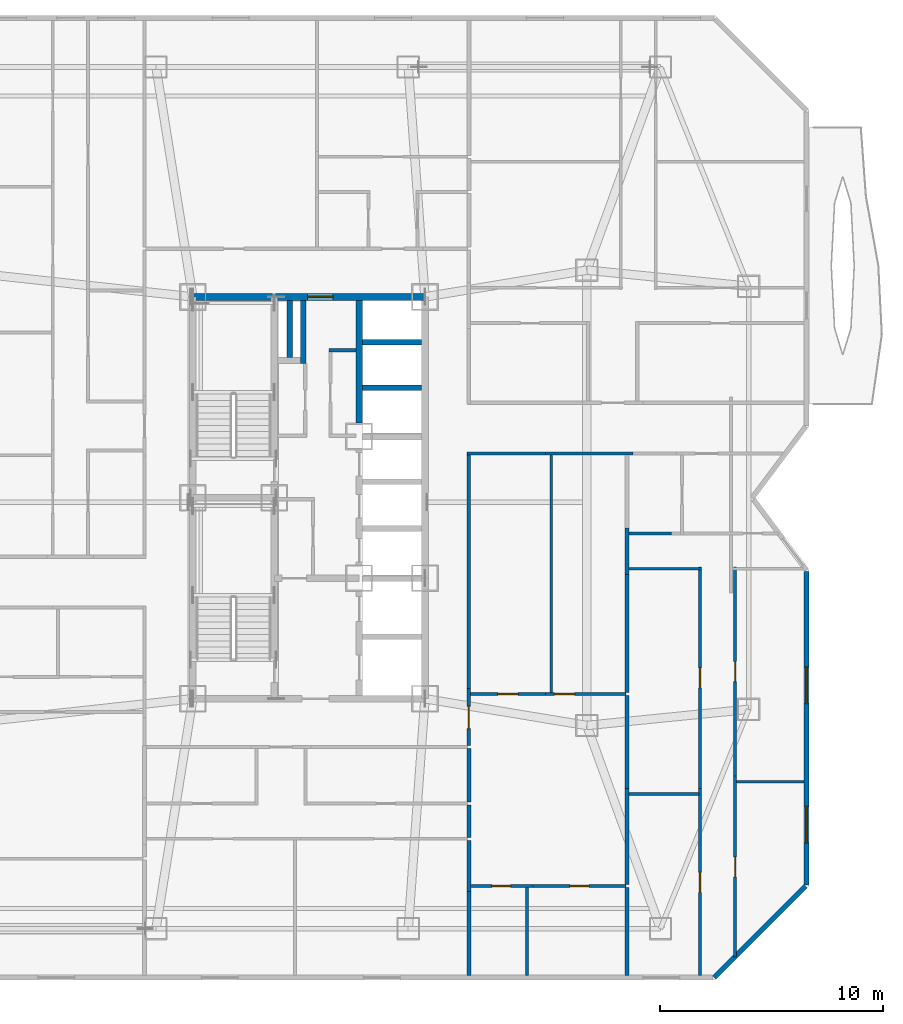
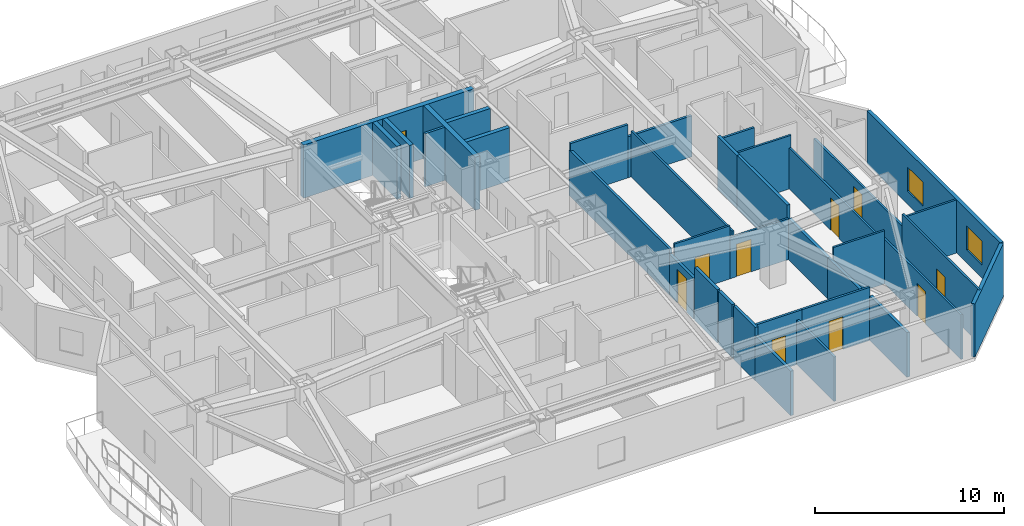
# One storey, part 10 of 15: 36 walls, 10 doors, 2 windows, 12 openings.
"""IFC4 building model written with IfcOpenShell, lengths in metres."""

from ifc_helpers import new_model, si_unit, direction, frame, frame_2d, origin, place, context, subcontext, project, spatial, rectangle, extrude, material, layer, layer_set, type_object, element, fill, save


model = new_model("IFC4")

# Units and contexts
model_context = context("Model", 3, precision=1e-05, world=origin(), true_north=direction((0.0, 1.0)))
body_context = subcontext(model_context, "Body", "Model", "MODEL_VIEW")
ifc_project = project(units=[si_unit("LENGTHUNIT", "METRE"), si_unit("AREAUNIT", "SQUARE_METRE"), si_unit("VOLUMEUNIT", "CUBIC_METRE"), si_unit("PLANEANGLEUNIT", "RADIAN"), si_unit("MASSUNIT", "GRAM", prefix="KILO")], contexts=[model_context])

# Site, building, storey
site_placement = place(None, origin())
site = spatial("IfcSite", under=ifc_project, at=site_placement, CompositionType="ELEMENT")
building_placement = place(site_placement, origin())
building = spatial("IfcBuilding", under=site, at=building_placement, Name="Khamvora Tower", CompositionType="ELEMENT")
storey_placement = place(building_placement, frame((0.0, 0.0, 112.85009765625)))
storey = spatial("IfcBuildingStorey", under=building, at=storey_placement, Name="L28", CompositionType="ELEMENT", Elevation=112.85009765625)

# Wall, opening, door
ifc_material_1 = material(Name="Concrete C50/60", Category="concrete")
ifc_layer_1 = layer(ifc_material_1, 0.300048828125)
ifc_layer_set_1 = layer_set([ifc_layer_1], Name="Concrete C50/60")
wall_type_1 = type_object("IfcWallType", Name="WAL-CORE-300", PredefinedType="SHEAR", material=ifc_layer_set_1)
wall_1_placement = place(storey_placement, frame((29.0, 37.0, 0.0), z_axis=(0.0, 0.0, 1.0), x_axis=(1.0, 0.0, 0.0)))
wall_1 = element("IfcWall", 1, at=wall_1_placement, inside=storey, type_object=wall_type_1, Name="L28 central core north wall", PredefinedType="SHEAR", context=body_context, shape_type="SweptSolid", body=[
    extrude(rectangle(XDim=10.39990234375, YDim=0.300048828125, at=frame_2d((5.199951171875, 0.0))), origin(), (0.0, 0.0, 1.0), 3.429931640625),
])
opening_1_placement = place(wall_1_placement, frame((5.139892578125, 0.0, 0.0)))
opening_1 = element("IfcOpeningElement", 2, at=opening_1_placement, cuts=wall_1, Name="Opening D-SC1", PredefinedType="OPENING", context=body_context, shape_type="SweptSolid", body=[
    extrude(rectangle(XDim=1.14990234375, YDim=2.199951171875, at=frame_2d((0.574951171875, 1.10009765625))), frame((0.0, 0.159912109375, 0.0), z_axis=(0.0, -1.0, 0.0), x_axis=(1.0, 0.0, 0.0)), (0.0, 0.0, 1.0), 0.320068359375),
])
ifc_material_2 = material(Name="Powder-Coated Steel and Hardwood Leaf", Category="steel")
door_type_1 = type_object("IfcDoorType", Name="DOR-SCHL-1150", OperationType="NOTDEFINED", PredefinedType="DOOR", material=ifc_material_2)
door_1_placement = place(opening_1_placement, origin())
door_1 = element("IfcDoor", 3, at=door_1_placement, inside=storey, type_object=door_type_1, Name="L28 north core lobby to corridor fire door", OperationType="SINGLE_SWING_LEFT", OverallHeight=2.199951171875, OverallWidth=1.14990234375, PredefinedType="DOOR", context=body_context, shape_type="SweptSolid", body=[
    extrude(rectangle(XDim=1.14990234375, YDim=2.199951171875, at=frame_2d((0.574951171875, 1.10009765625))), frame((0.0, 0.02490234375, 0.0), z_axis=(0.0, -1.0, 0.0), x_axis=(1.0, 0.0, 0.0)), (0.0, 0.0, 1.0), 0.050048828125),
])
fill(opening_1, door_1)

# Walls
wall_2_placement = place(storey_placement, frame((36.449951171875, 31.35009765625, 0.0), z_axis=(0.0, 0.0, 1.0), x_axis=(0.0, 1.0, 0.0)))
element("IfcWall", 4, at=wall_2_placement, inside=storey, type_object=wall_type_1, Name="L28 central core lift bank north wall", PredefinedType="SHEAR", context=body_context, shape_type="SweptSolid", body=[
    extrude(rectangle(XDim=5.495849609375, YDim=0.300048828125, at=frame_2d((2.748046875, 0.0))), origin(), (0.0, 0.0, 1.0), 3.429931640625),
])
ifc_material_3 = material(Name="Fire-Rated Drywall and Steel Stud", Category="steel")
ifc_layer_2 = layer(ifc_material_3, 0.14990234375)
ifc_layer_set_2 = layer_set([ifc_layer_2], Name="Fire-Rated Drywall and Steel Stud")
wall_type_2 = type_object("IfcWallType", Name="WAL-CORR-150", PredefinedType="STANDARD", material=ifc_layer_set_2)
wall_3_placement = place(storey_placement, frame((36.305908203125, 34.614990234375, 0.0), z_axis=(0.0, 0.0, 1.0), x_axis=(-1.0, 0.0, 0.0)))
element("IfcWall", 5, at=wall_3_placement, inside=storey, type_object=wall_type_2, Name="L28 interior partition wall 001", PredefinedType="STANDARD", context=body_context, shape_type="SweptSolid", body=[
    extrude(rectangle(XDim=1.205810546875, YDim=0.14990234375, at=frame_2d((0.60302734375, 0.0))), origin(), (0.0, 0.0, 1.0), 3.429931640625),
])

# Wall, opening, door
wall_4_placement = place(storey_placement, frame((41.364990234375, 19.458984375, 0.0), z_axis=(0.0, 0.0, 1.0), x_axis=(0.0, -1.0, 0.0)))
wall_4 = element("IfcWall", 6, at=wall_4_placement, inside=storey, type_object=wall_type_2, Name="L28 interior partition wall 032", PredefinedType="STANDARD", context=body_context, shape_type="SweptSolid", body=[
    extrude(rectangle(XDim=2.55908203125, YDim=0.14990234375, at=frame_2d((1.279541015625, 0.0))), origin(), (0.0, 0.0, 1.0), 2.64697265625),
])
opening_2_placement = place(wall_4_placement, frame((0.800048828125, 0.0, 0.0)))
opening_2 = element("IfcOpeningElement", 7, at=opening_2_placement, cuts=wall_4, Name="Opening D-U1", PredefinedType="OPENING", context=body_context, shape_type="SweptSolid", body=[
    extrude(rectangle(XDim=1.0, YDim=2.14990234375, at=frame_2d((0.5, 1.074951171875))), frame((0.0, 0.0849609375, 0.0), z_axis=(0.0, -1.0, 0.0), x_axis=(1.0, 0.0, 0.0)), (0.0, 0.0, 1.0), 0.169921875),
])
door_type_2 = type_object("IfcDoorType", Name="DOR-UNIT-1000", OperationType="NOTDEFINED", PredefinedType="DOOR", material=ifc_material_2)
door_2_placement = place(opening_2_placement, origin())
door_2 = element("IfcDoor", 8, at=door_2_placement, inside=storey, type_object=door_type_2, Name="L28 interior door COR-28EAH", OperationType="SINGLE_SWING_LEFT", OverallHeight=2.14990234375, OverallWidth=1.0, PredefinedType="DOOR", context=body_context, shape_type="SweptSolid", body=[
    extrude(rectangle(XDim=1.0, YDim=2.14990234375, at=frame_2d((0.5, 1.074951171875))), frame((0.0, 0.02490234375, 0.0), z_axis=(0.0, -1.0, 0.0), x_axis=(1.0, 0.0, 0.0)), (0.0, 0.0, 1.0), 0.050048828125),
])
fill(opening_2, door_2)

# Walls
wall_5_placement = place(storey_placement, frame((48.708984375, 29.985107421875, 0.0), z_axis=(0.0, 0.0, 1.0), x_axis=(-1.0, 0.0, 0.0)))
element("IfcWall", 9, at=wall_5_placement, inside=storey, type_object=wall_type_2, Name="L28 interior partition wall 033", PredefinedType="STANDARD", context=body_context, shape_type="SweptSolid", body=[
    extrude(rectangle(XDim=3.906005859375, YDim=0.14990234375, at=frame_2d((1.953125, 0.0))), origin(), (0.0, 0.0, 1.0), 2.64697265625),
])
wall_6_placement = place(storey_placement, frame((44.802978515625, 29.985107421875, 0.0), z_axis=(0.0, 0.0, 1.0), x_axis=(-1.0, 0.0, 0.0)))
element("IfcWall", 10, at=wall_6_placement, inside=storey, type_object=wall_type_2, Name="L28 interior partition wall 034", PredefinedType="STANDARD", context=body_context, shape_type="SweptSolid", body=[
    extrude(rectangle(XDim=3.5029296875, YDim=0.14990234375, at=frame_2d((1.75146484375, 0.0))), origin(), (0.0, 0.0, 1.0), 3.429931640625),
])
wall_7_placement = place(storey_placement, frame((41.364990234375, 30.050048828125, 0.0), z_axis=(0.0, 0.0, 1.0), x_axis=(0.0, -1.0, 0.0)))
element("IfcWall", 11, at=wall_7_placement, inside=storey, type_object=wall_type_2, Name="L28 interior partition wall 035", PredefinedType="STANDARD", context=body_context, shape_type="SweptSolid", body=[
    extrude(rectangle(XDim=10.591064453125, YDim=0.14990234375, at=frame_2d((5.29541015625, 0.0))), origin(), (0.0, 0.0, 1.0), 2.956787109375),
])
ifc_material_4 = material(Name="Acoustic Double-Stud Fire Wall", Category="gypsum")
ifc_layer_3 = layer(ifc_material_4, 0.179931640625)
ifc_layer_set_3 = layer_set([ifc_layer_3], Name="Acoustic Double-Stud Fire Wall")
wall_type_3 = type_object("IfcWallType", Name="WAL-CORR-180", PredefinedType="STANDARD", material=ifc_layer_set_3)
wall_8_placement = place(storey_placement, frame((41.364990234375, 14.239990234375, 0.0), z_axis=(0.0, 0.0, 1.0), x_axis=(0.0, -1.0, 0.0)))
element("IfcWall", 12, at=wall_8_placement, inside=storey, type_object=wall_type_3, Name="L28 interior partition wall 107", PredefinedType="STANDARD", context=body_context, shape_type="SweptSolid", body=[
    extrude(rectangle(XDim=1.449951171875, YDim=0.179931640625, at=frame_2d((0.72509765625, 0.0))), origin(), (0.0, 0.0, 1.0), 3.429931640625),
])
wall_9_placement = place(storey_placement, frame((41.364990234375, 16.77001953125, 0.0), z_axis=(0.0, 0.0, 1.0), x_axis=(0.0, -1.0, 0.0)))
element("IfcWall", 13, at=wall_9_placement, inside=storey, type_object=wall_type_3, Name="L28 interior partition wall 108", PredefinedType="STANDARD", context=body_context, shape_type="SweptSolid", body=[
    extrude(rectangle(XDim=2.39990234375, YDim=0.179931640625, at=frame_2d((1.199951171875, 0.0))), origin(), (0.0, 0.0, 1.0), 3.429931640625),
])
wall_10_placement = place(storey_placement, frame((41.364990234375, 12.659912109375, 0.0), z_axis=(0.0, 0.0, 1.0), x_axis=(0.0, -1.0, 0.0)))
element("IfcWall", 14, at=wall_10_placement, inside=storey, type_object=wall_type_3, Name="L28 interior partition wall 110", PredefinedType="STANDARD", context=body_context, shape_type="SweptSolid", body=[
    extrude(rectangle(XDim=2.298828125, YDim=0.179931640625, at=frame_2d((1.1494140625, 0.0))), origin(), (0.0, 0.0, 1.0), 3.429931640625),
])
wall_11_placement = place(storey_placement, frame((41.364990234375, 10.361083984375, 0.0), z_axis=(0.0, 0.0, 1.0), x_axis=(0.0, -1.0, 0.0)))
element("IfcWall", 15, at=wall_11_placement, inside=storey, type_object=wall_type_3, Name="L28 interior partition wall 111", PredefinedType="STANDARD", context=body_context, shape_type="SweptSolid", body=[
    extrude(rectangle(XDim=3.7490234375, YDim=0.179931640625, at=frame_2d((1.87451171875, 0.0))), origin(), (0.0, 0.0, 1.0), 2.8759765625),
])
wall_12_placement = place(storey_placement, frame((48.4599609375, 14.97998046875, 0.0), z_axis=(0.0, 0.0, 1.0), x_axis=(0.0, -1.0, 0.0)))
element("IfcWall", 16, at=wall_12_placement, inside=storey, type_object=wall_type_3, Name="L28 interior partition wall 124", PredefinedType="STANDARD", context=body_context, shape_type="SweptSolid", body=[
    extrude(rectangle(XDim=4.304931640625, YDim=0.179931640625, at=frame_2d((2.15234375, 0.0))), origin(), (0.0, 0.0, 1.0), 2.64697265625),
])
wall_13_placement = place(storey_placement, frame((48.4599609375, 19.14501953125, 0.0), z_axis=(0.0, 0.0, 1.0), x_axis=(0.0, -1.0, 0.0)))
element("IfcWall", 17, at=wall_13_placement, inside=storey, type_object=wall_type_3, Name="L28 interior partition wall 125", PredefinedType="STANDARD", context=body_context, shape_type="SweptSolid", body=[
    extrude(rectangle(XDim=4.1650390625, YDim=0.179931640625, at=frame_2d((2.08251953125, 0.0))), origin(), (0.0, 0.0, 1.0), 2.64697265625),
])
wall_14_placement = place(storey_placement, frame((48.4599609375, 26.654052734375, 0.0), z_axis=(0.0, 0.0, 1.0), x_axis=(0.0, -1.0, 0.0)))
element("IfcWall", 18, at=wall_14_placement, inside=storey, type_object=wall_type_3, Name="L28 interior partition wall 127", PredefinedType="STANDARD", context=body_context, shape_type="SweptSolid", body=[
    extrude(rectangle(XDim=2.078125, YDim=0.179931640625, at=frame_2d((1.0390625, 0.0))), origin(), (0.0, 0.0, 1.0), 3.429931640625),
])
wall_15_placement = place(storey_placement, frame((48.4599609375, 24.575927734375, 0.0), z_axis=(0.0, 0.0, 1.0), x_axis=(0.0, -1.0, 0.0)))
element("IfcWall", 19, at=wall_15_placement, inside=storey, type_object=wall_type_3, Name="L28 interior partition wall 129", PredefinedType="STANDARD", context=body_context, shape_type="SweptSolid", body=[
    extrude(rectangle(XDim=5.301025390625, YDim=0.179931640625, at=frame_2d((2.650390625, 0.0))), origin(), (0.0, 0.0, 1.0), 3.429931640625),
])
wall_16_placement = place(storey_placement, frame((48.4599609375, 10.544921875, 0.0), z_axis=(0.0, 0.0, 1.0), x_axis=(0.0, -1.0, 0.0)))
element("IfcWall", 20, at=wall_16_placement, inside=storey, type_object=wall_type_3, Name="L28 interior partition wall 131", PredefinedType="STANDARD", context=body_context, shape_type="SweptSolid", body=[
    extrude(rectangle(XDim=3.932861328125, YDim=0.179931640625, at=frame_2d((1.96630859375, 0.0))), origin(), (0.0, 0.0, 1.0), 2.8759765625),
])

# Wall, openings, windows
ifc_material_5 = material(Name="Precast concrete C40/50", Category="concrete")
ifc_layer_4 = layer(ifc_material_5, 0.219970703125)
ifc_layer_set_4 = layer_set([ifc_layer_4], Name="Precast concrete C40/50")
wall_type_4 = type_object("IfcWallType", Name="WAL-EXT-220", PredefinedType="STANDARD", material=ifc_layer_set_4)
wall_17_placement = place(storey_placement, frame((56.489990234375, 24.70703125, 0.0), z_axis=(0.0, 0.0, 1.0), x_axis=(0.0, -1.0, 0.0)))
wall_17 = element("IfcWall", 21, at=wall_17_placement, inside=storey, type_object=wall_type_4, Name="L28 exterior facade wall 12.1", PredefinedType="STANDARD", context=body_context, shape_type="SweptSolid", body=[
    extrude(rectangle(XDim=14.06103515625, YDim=0.219970703125, at=frame_2d((7.030517578125, 0.0))), origin(), (0.0, 0.0, 1.0), 3.429931640625),
])
opening_3_placement = place(wall_17_placement, frame((10.52587890625, 0.0, 0.85009765625)))
opening_3 = element("IfcOpeningElement", 22, at=opening_3_placement, cuts=wall_17, Name="Opening WN-06", PredefinedType="OPENING", context=body_context, shape_type="SweptSolid", body=[
    extrude(rectangle(XDim=1.64990234375, YDim=1.550048828125, at=frame_2d((0.824951171875, 0.77490234375))), frame((0.0, 0.119873046875, 0.0), z_axis=(0.0, -1.0, 0.0), x_axis=(1.0, 0.0, 0.0)), (0.0, 0.0, 1.0), 0.239990234375),
])
opening_4_placement = place(wall_17_placement, frame((4.280029296875, 0.0, 0.85009765625)))
opening_4 = element("IfcOpeningElement", 23, at=opening_4_placement, cuts=wall_17, Name="Opening WN-06", PredefinedType="OPENING", context=body_context, shape_type="SweptSolid", body=[
    extrude(rectangle(XDim=1.64990234375, YDim=1.550048828125, at=frame_2d((0.824951171875, 0.77490234375))), frame((0.0, 0.119873046875, 0.0), z_axis=(0.0, -1.0, 0.0), x_axis=(1.0, 0.0, 0.0)), (0.0, 0.0, 1.0), 0.239990234375),
])
ifc_material_6 = material(Name="Low-E Laminated Double Glazing", Category="glass")
window_type = type_object("IfcWindowType", Name="WIN-VIS-1650x1550", PartitioningType="SINGLE_PANEL", PredefinedType="WINDOW", material=ifc_material_6)
window_1_placement = place(opening_3_placement, origin())
window_1 = element("IfcWindow", 24, at=window_1_placement, inside=storey, type_object=window_type, Name="L28 vision window 12.1.01", OverallHeight=1.550048828125, OverallWidth=1.64990234375, PartitioningType="SINGLE_PANEL", PredefinedType="WINDOW", context=body_context, shape_type="SweptSolid", body=[
    extrude(rectangle(XDim=1.64990234375, YDim=1.550048828125, at=frame_2d((0.824951171875, 0.77490234375))), frame((0.0, 0.030029296875, 0.0), z_axis=(0.0, -1.0, 0.0), x_axis=(1.0, 0.0, 0.0)), (0.0, 0.0, 1.0), 0.06005859375),
])
fill(opening_3, window_1)
window_2_placement = place(opening_4_placement, origin())
window_2 = element("IfcWindow", 25, at=window_2_placement, inside=storey, type_object=window_type, Name="L28 vision window 12.1.02", OverallHeight=1.550048828125, OverallWidth=1.64990234375, PartitioningType="SINGLE_PANEL", PredefinedType="WINDOW", context=body_context, shape_type="SweptSolid", body=[
    extrude(rectangle(XDim=1.64990234375, YDim=1.550048828125, at=frame_2d((0.824951171875, 0.77490234375))), frame((0.0, 0.030029296875, 0.0), z_axis=(0.0, -1.0, 0.0), x_axis=(1.0, 0.0, 0.0)), (0.0, 0.0, 1.0), 0.06005859375),
])
fill(opening_4, window_2)

# Wall
wall_18_placement = place(storey_placement, frame((56.43994140625, 10.595947265625, 0.0), z_axis=(0.0, 0.0, 1.0), x_axis=(-0.707106781187, -0.707106781187, 0.0)))
element("IfcWall", 26, at=wall_18_placement, inside=storey, type_object=wall_type_4, Name="L28 exterior facade wall 13.1", PredefinedType="STANDARD", context=body_context, shape_type="SweptSolid", body=[
    extrude(rectangle(XDim=5.7783203125, YDim=0.219970703125, at=frame_2d((2.88916015625, 0.0))), origin(), (0.0, 0.0, 1.0), 3.429931640625),
])

# Wall, opening, door
ifc_material_7 = material(Name="Gypsum Plasterboard Partition", Category="gypsum")
ifc_layer_5 = layer(ifc_material_7, 0.1201171875)
ifc_layer_set_5 = layer_set([ifc_layer_5], Name="Gypsum Plasterboard Partition")
wall_type_5 = type_object("IfcWallType", Name="WAL-PART-120", PredefinedType="PARTITIONING", material=ifc_layer_set_5)
wall_19_placement = place(storey_placement, frame((44.802978515625, 19.2099609375, 0.0), z_axis=(0.0, 0.0, 1.0), x_axis=(1.0, 0.0, 0.0)))
wall_19 = element("IfcWall", 27, at=wall_19_placement, inside=storey, type_object=wall_type_5, Name="L28 interior partition wall 120", PredefinedType="PARTITIONING", context=body_context, shape_type="SweptSolid", body=[
    extrude(rectangle(XDim=3.592041015625, YDim=0.1201171875, at=frame_2d((1.7958984375, 0.0))), origin(), (0.0, 0.0, 1.0), 2.64697265625),
])
opening_5_placement = place(wall_19_placement, frame((0.39697265625, 0.0, 0.0)))
opening_5 = element("IfcOpeningElement", 28, at=opening_5_placement, cuts=wall_19, Name="Opening D-RM1", PredefinedType="OPENING", context=body_context, shape_type="SweptSolid", body=[
    extrude(rectangle(XDim=0.89990234375, YDim=2.10009765625, at=frame_2d((0.449951171875, 1.050048828125))), frame((0.0, 0.070068359375, 0.0), z_axis=(0.0, -1.0, 0.0), x_axis=(1.0, 0.0, 0.0)), (0.0, 0.0, 1.0), 0.14013671875),
])
door_type_3 = type_object("IfcDoorType", Name="DOR-ROOM-900", OperationType="NOTDEFINED", PredefinedType="DOOR", material=ifc_material_2)
door_3_placement = place(opening_5_placement, origin())
door_3 = element("IfcDoor", 29, at=door_3_placement, inside=storey, type_object=door_type_3, Name="L28 interior door 28EAH-28EAR2", OperationType="SINGLE_SWING_LEFT", OverallHeight=2.10009765625, OverallWidth=0.89990234375, PredefinedType="DOOR", context=body_context, shape_type="SweptSolid", body=[
    extrude(rectangle(XDim=0.89990234375, YDim=2.10009765625, at=frame_2d((0.449951171875, 1.050048828125))), frame((0.0, 0.02490234375, 0.0), z_axis=(0.0, -1.0, 0.0), x_axis=(1.0, 0.0, 0.0)), (0.0, 0.0, 1.0), 0.050048828125),
])
fill(opening_5, door_3)

wall_20_placement = place(storey_placement, frame((41.431884765625, 19.2099609375, 0.0), z_axis=(0.0, 0.0, 1.0), x_axis=(1.0, 0.0, 0.0)))
wall_20 = element("IfcWall", 30, at=wall_20_placement, inside=storey, type_object=wall_type_5, Name="L28 interior partition wall 123", PredefinedType="PARTITIONING", context=body_context, shape_type="SweptSolid", body=[
    extrude(rectangle(XDim=3.37109375, YDim=0.1201171875, at=frame_2d((1.685546875, 0.0))), origin(), (0.0, 0.0, 1.0), 3.429931640625),
])
opening_6_placement = place(wall_20_placement, frame((1.236083984375, 0.0, 0.0)))
opening_6 = element("IfcOpeningElement", 31, at=opening_6_placement, cuts=wall_20, Name="Opening D-RM1", PredefinedType="OPENING", context=body_context, shape_type="SweptSolid", body=[
    extrude(rectangle(XDim=0.89990234375, YDim=2.10009765625, at=frame_2d((0.449951171875, 1.050048828125))), frame((0.0, 0.070068359375, 0.0), z_axis=(0.0, -1.0, 0.0), x_axis=(1.0, 0.0, 0.0)), (0.0, 0.0, 1.0), 0.14013671875),
])
door_4_placement = place(opening_6_placement, origin())
door_4 = element("IfcDoor", 32, at=door_4_placement, inside=storey, type_object=door_type_3, Name="L28 interior door 28EAH-28EAR1", OperationType="SINGLE_SWING_RIGHT", OverallHeight=2.10009765625, OverallWidth=0.89990234375, PredefinedType="DOOR", context=body_context, shape_type="SweptSolid", body=[
    extrude(rectangle(XDim=0.89990234375, YDim=2.10009765625, at=frame_2d((0.449951171875, 1.050048828125))), frame((0.0, 0.02490234375, 0.0), z_axis=(0.0, -1.0, 0.0), x_axis=(1.0, 0.0, 0.0)), (0.0, 0.0, 1.0), 0.050048828125),
])
fill(opening_6, door_4)

# Wall
wall_21_placement = place(storey_placement, frame((45.052001953125, 19.263916015625, 0.0), z_axis=(0.0, 0.0, 1.0), x_axis=(0.0, 1.0, 0.0)))
element("IfcWall", 33, at=wall_21_placement, inside=storey, type_object=wall_type_5, Name="L28 interior partition wall 126", PredefinedType="PARTITIONING", context=body_context, shape_type="SweptSolid", body=[
    extrude(rectangle(XDim=10.654052734375, YDim=0.1201171875, at=frame_2d((5.3271484375, 0.0))), origin(), (0.0, 0.0, 1.0), 2.956787109375),
])

# Wall, opening, door
wall_22_placement = place(storey_placement, frame((51.722900390625, 6.612060546875, 0.0), z_axis=(0.0, 0.0, 1.0), x_axis=(0.0, 1.0, 0.0)))
wall_22 = element("IfcWall", 34, at=wall_22_placement, inside=storey, type_object=wall_type_5, Name="L28 interior partition wall 136", PredefinedType="PARTITIONING", context=body_context, shape_type="SweptSolid", body=[
    extrude(rectangle(XDim=8.367919921875, YDim=0.1201171875, at=frame_2d((4.18408203125, 0.0))), origin(), (0.0, 0.0, 1.0), 2.8759765625),
])
opening_7_placement = place(wall_22_placement, frame((3.712890625, 0.0, 0.0)))
opening_7 = element("IfcOpeningElement", 35, at=opening_7_placement, cuts=wall_22, Name="Opening D-RM1", PredefinedType="OPENING", context=body_context, shape_type="SweptSolid", body=[
    extrude(rectangle(XDim=0.89990234375, YDim=2.10009765625, at=frame_2d((0.449951171875, 1.050048828125))), frame((0.0, 0.070068359375, 0.0), z_axis=(0.0, -1.0, 0.0), x_axis=(1.0, 0.0, 0.0)), (0.0, 0.0, 1.0), 0.14013671875),
])
door_5_placement = place(opening_7_placement, origin())
door_5 = element("IfcDoor", 36, at=door_5_placement, inside=storey, type_object=door_type_3, Name="L28 interior door 28EBH-28EBL", OperationType="SINGLE_SWING_LEFT", OverallHeight=2.10009765625, OverallWidth=0.89990234375, PredefinedType="DOOR", context=body_context, shape_type="SweptSolid", body=[
    extrude(rectangle(XDim=0.89990234375, YDim=2.10009765625, at=frame_2d((0.449951171875, 1.050048828125))), frame((0.0, 0.02490234375, 0.0), z_axis=(0.0, -1.0, 0.0), x_axis=(1.0, 0.0, 0.0)), (0.0, 0.0, 1.0), 0.050048828125),
])
fill(opening_7, door_5)

wall_23_placement = place(storey_placement, frame((51.722900390625, 14.97998046875, 0.0), z_axis=(0.0, 0.0, 1.0), x_axis=(0.0, 1.0, 0.0)))
wall_23 = element("IfcWall", 37, at=wall_23_placement, inside=storey, type_object=wall_type_5, Name="L28 interior partition wall 137", PredefinedType="PARTITIONING", context=body_context, shape_type="SweptSolid", body=[
    extrude(rectangle(XDim=9.909912109375, YDim=0.1201171875, at=frame_2d((4.955078125, 0.0))), origin(), (0.0, 0.0, 1.0), 2.64697265625),
])
opening_8_placement = place(wall_23_placement, frame((4.5048828125, 0.0, 0.0)))
opening_8 = element("IfcOpeningElement", 38, at=opening_8_placement, cuts=wall_23, Name="Opening D-RM1", PredefinedType="OPENING", context=body_context, shape_type="SweptSolid", body=[
    extrude(rectangle(XDim=0.89990234375, YDim=2.10009765625, at=frame_2d((0.449951171875, 1.050048828125))), frame((0.0, 0.070068359375, 0.0), z_axis=(0.0, -1.0, 0.0), x_axis=(1.0, 0.0, 0.0)), (0.0, 0.0, 1.0), 0.14013671875),
])
door_6_placement = place(opening_8_placement, origin())
door_6 = element("IfcDoor", 39, at=door_6_placement, inside=storey, type_object=door_type_3, Name="L28 interior door 28EBH-28EBR2", OperationType="SINGLE_SWING_RIGHT", OverallHeight=2.10009765625, OverallWidth=0.89990234375, PredefinedType="DOOR", context=body_context, shape_type="SweptSolid", body=[
    extrude(rectangle(XDim=0.89990234375, YDim=2.10009765625, at=frame_2d((0.449951171875, 1.050048828125))), frame((0.0, 0.02490234375, 0.0), z_axis=(0.0, -1.0, 0.0), x_axis=(1.0, 0.0, 0.0)), (0.0, 0.0, 1.0), 0.050048828125),
])
fill(opening_8, door_6)

# Wall
wall_24_placement = place(storey_placement, frame((51.7880859375, 24.824951171875, 0.0), z_axis=(0.0, 0.0, 1.0), x_axis=(-1.0, 0.0, 0.0)))
element("IfcWall", 40, at=wall_24_placement, inside=storey, type_object=wall_type_5, Name="L28 interior partition wall 138", PredefinedType="PARTITIONING", context=body_context, shape_type="SweptSolid", body=[
    extrude(rectangle(XDim=3.24609375, YDim=0.1201171875, at=frame_2d((1.623046875, 0.0))), origin(), (0.0, 0.0, 1.0), 3.429931640625),
])

# Wall, opening, door
wall_25_placement = place(storey_placement, frame((53.2919921875, 15.531005859375, 0.0), z_axis=(0.0, 0.0, 1.0), x_axis=(0.0, -1.0, 0.0)))
wall_25 = element("IfcWall", 41, at=wall_25_placement, inside=storey, type_object=wall_type_5, Name="L28 interior partition wall 139", PredefinedType="PARTITIONING", context=body_context, shape_type="SweptSolid", body=[
    extrude(rectangle(XDim=8.092041015625, YDim=0.1201171875, at=frame_2d((4.0458984375, 0.0))), origin(), (0.0, 0.0, 1.0), 3.429931640625),
])
opening_9_placement = place(wall_25_placement, frame((3.616943359375, 0.0, 0.0)))
opening_9 = element("IfcOpeningElement", 42, at=opening_9_placement, cuts=wall_25, Name="Opening D-RM1", PredefinedType="OPENING", context=body_context, shape_type="SweptSolid", body=[
    extrude(rectangle(XDim=0.89990234375, YDim=2.10009765625, at=frame_2d((0.449951171875, 1.050048828125))), frame((0.0, 0.070068359375, 0.0), z_axis=(0.0, -1.0, 0.0), x_axis=(1.0, 0.0, 0.0)), (0.0, 0.0, 1.0), 0.14013671875),
])
door_7_placement = place(opening_9_placement, origin())
door_7 = element("IfcDoor", 43, at=door_7_placement, inside=storey, type_object=door_type_3, Name="L28 interior door 28EBH-28EBR3", OperationType="SINGLE_SWING_LEFT", OverallHeight=2.10009765625, OverallWidth=0.89990234375, PredefinedType="DOOR", context=body_context, shape_type="SweptSolid", body=[
    extrude(rectangle(XDim=0.89990234375, YDim=2.10009765625, at=frame_2d((0.449951171875, 1.050048828125))), frame((0.0, 0.02490234375, 0.0), z_axis=(0.0, -1.0, 0.0), x_axis=(1.0, 0.0, 0.0)), (0.0, 0.0, 1.0), 0.050048828125),
])
fill(opening_9, door_7)

wall_26_placement = place(storey_placement, frame((53.2919921875, 24.889892578125, 0.0), z_axis=(0.0, 0.0, 1.0), x_axis=(0.0, -1.0, 0.0)))
wall_26 = element("IfcWall", 44, at=wall_26_placement, inside=storey, type_object=wall_type_5, Name="L28 interior partition wall 141", PredefinedType="PARTITIONING", context=body_context, shape_type="SweptSolid", body=[
    extrude(rectangle(XDim=9.35888671875, YDim=0.1201171875, at=frame_2d((4.679443359375, 0.0))), origin(), (0.0, 0.0, 1.0), 2.64697265625),
])
opening_10_placement = place(wall_26_placement, frame((4.22900390625, 0.0, 0.0)))
opening_10 = element("IfcOpeningElement", 45, at=opening_10_placement, cuts=wall_26, Name="Opening D-RM1", PredefinedType="OPENING", context=body_context, shape_type="SweptSolid", body=[
    extrude(rectangle(XDim=0.89990234375, YDim=2.10009765625, at=frame_2d((0.449951171875, 1.050048828125))), frame((0.0, 0.070068359375, 0.0), z_axis=(0.0, -1.0, 0.0), x_axis=(1.0, 0.0, 0.0)), (0.0, 0.0, 1.0), 0.14013671875),
])
door_8_placement = place(opening_10_placement, origin())
door_8 = element("IfcDoor", 46, at=door_8_placement, inside=storey, type_object=door_type_3, Name="L28 interior door 28EBH-28EBR4", OperationType="SINGLE_SWING_LEFT", OverallHeight=2.10009765625, OverallWidth=0.89990234375, PredefinedType="DOOR", context=body_context, shape_type="SweptSolid", body=[
    extrude(rectangle(XDim=0.89990234375, YDim=2.10009765625, at=frame_2d((0.449951171875, 1.050048828125))), frame((0.0, 0.02490234375, 0.0), z_axis=(0.0, -1.0, 0.0), x_axis=(1.0, 0.0, 0.0)), (0.0, 0.0, 1.0), 0.050048828125),
])
fill(opening_10, door_8)

# Walls
wall_27_placement = place(storey_placement, frame((48.5419921875, 14.73095703125, 0.0), z_axis=(0.0, 0.0, 1.0), x_axis=(1.0, 0.0, 0.0)))
element("IfcWall", 47, at=wall_27_placement, inside=storey, type_object=wall_type_5, Name="L28 interior partition wall 142", PredefinedType="PARTITIONING", context=body_context, shape_type="SweptSolid", body=[
    extrude(rectangle(XDim=3.126953125, YDim=0.1201171875, at=frame_2d((1.5634765625, 0.0))), origin(), (0.0, 0.0, 1.0), 3.429931640625),
])
wall_28_placement = place(storey_placement, frame((53.345947265625, 15.281982421875, 0.0), z_axis=(0.0, 0.0, 1.0), x_axis=(1.0, 0.0, 0.0)))
element("IfcWall", 48, at=wall_28_placement, inside=storey, type_object=wall_type_5, Name="L28 interior partition wall 143", PredefinedType="PARTITIONING", context=body_context, shape_type="SweptSolid", body=[
    extrude(rectangle(XDim=3.0419921875, YDim=0.1201171875, at=frame_2d((1.52099609375, 0.0))), origin(), (0.0, 0.0, 1.0), 3.429931640625),
])
ifc_material_8 = material(Name="Concrete C40/50", Category="concrete")
ifc_layer_6 = layer(ifc_material_8, 0.25)
ifc_layer_set_6 = layer_set([ifc_layer_6], Name="Concrete C40/50")
wall_type_6 = type_object("IfcWallType", Name="WAL-PODS-250", PredefinedType="SHEAR", material=ifc_layer_set_6)
for number, where, z_axis, x_axis, name in (
    (49, (36.60400390625, 32.925048828125, 0.0), (0.0, 0.0, 1.0), (1.0, 0.0, 0.0), "L28 lift shaft divider wall PH-01"),
    (50, (36.60400390625, 34.97509765625, 0.0), (0.0, 0.0, 1.0), (1.0, 0.0, 0.0), "L28 lift shaft divider wall PH-02"),
):
    element("IfcWall", number, at=place(storey_placement, frame(where, z_axis=z_axis, x_axis=x_axis)), inside=storey, type_object=wall_type_6, Name=name, PredefinedType="SHEAR", context=body_context, shape_type="SweptSolid", body=[
        extrude(rectangle(XDim=2.64208984375, YDim=0.25, at=frame_2d((1.321044921875, 0.0))), origin(), (0.0, 0.0, 1.0), 3.429931640625),
    ])
wall_29_placement = place(storey_placement, frame((33.955078125, 34.02490234375, 0.0), z_axis=(0.0, 0.0, 1.0), x_axis=(0.0, 1.0, 0.0)))
element("IfcWall", 51, at=wall_29_placement, inside=storey, type_object=wall_type_6, Name="L28 vertical MEP riser shaft east enclosure wall", PredefinedType="SHEAR", context=body_context, shape_type="SweptSolid", body=[
    extrude(rectangle(XDim=2.821044921875, YDim=0.25, at=frame_2d((1.41064453125, 0.0))), origin(), (0.0, 0.0, 1.0), 3.429931640625),
])
wall_30_placement = place(storey_placement, frame((33.340087890625, 34.279052734375, 0.0), z_axis=(0.0, 0.0, 1.0), x_axis=(0.0, 1.0, 0.0)))
element("IfcWall", 52, at=wall_30_placement, inside=storey, type_object=wall_type_6, Name="L28 vertical MEP riser shaft divider enclosure wall", PredefinedType="SHEAR", context=body_context, shape_type="SweptSolid", body=[
    extrude(rectangle(XDim=2.56689453125, YDim=0.25, at=frame_2d((1.283447265625, 0.0))), origin(), (0.0, 0.0, 1.0), 3.429931640625),
])

# Wall, opening, door
ifc_material_9 = material(Name="Moisture-Resistant Plasterboard Partition", Category="gypsum")
ifc_layer_7 = layer(ifc_material_9, 0.135009765625)
ifc_layer_set_7 = layer_set([ifc_layer_7], Name="Moisture-Resistant Plasterboard Partition")
wall_type_7 = type_object("IfcWallType", Name="WAL-WET-135", PredefinedType="PARTITIONING", material=ifc_layer_set_7)
wall_31_placement = place(storey_placement, frame((44.22900390625, 10.610107421875, 0.0), z_axis=(0.0, 0.0, 1.0), x_axis=(-1.0, 0.0, 0.0)))
wall_31 = element("IfcWall", 53, at=wall_31_placement, inside=storey, type_object=wall_type_7, Name="L28 interior partition wall 121", PredefinedType="PARTITIONING", context=body_context, shape_type="SweptSolid", body=[
    extrude(rectangle(XDim=2.781982421875, YDim=0.135009765625, at=frame_2d((1.39111328125, 0.0))), origin(), (0.0, 0.0, 1.0), 3.429931640625),
])
opening_11_placement = place(wall_31_placement, frame((0.987060546875, 0.0, 0.0)))
opening_11 = element("IfcOpeningElement", 54, at=opening_11_placement, cuts=wall_31, Name="Opening D-WC1", PredefinedType="OPENING", context=body_context, shape_type="SweptSolid", body=[
    extrude(rectangle(XDim=0.85009765625, YDim=2.10009765625, at=frame_2d((0.425048828125, 1.050048828125))), frame((0.0, 0.077392578125, 0.0), z_axis=(0.0, -1.0, 0.0), x_axis=(1.0, 0.0, 0.0)), (0.0, 0.0, 1.0), 0.155029296875),
])
door_type_4 = type_object("IfcDoorType", Name="DOR-WET-850", OperationType="NOTDEFINED", PredefinedType="DOOR", material=ifc_material_2)
door_9_placement = place(opening_11_placement, origin())
door_9 = element("IfcDoor", 55, at=door_9_placement, inside=storey, type_object=door_type_4, Name="L28 interior door 28EAH-28EAB", OperationType="SINGLE_SWING_RIGHT", OverallHeight=2.10009765625, OverallWidth=0.85009765625, PredefinedType="DOOR", context=body_context, shape_type="SweptSolid", body=[
    extrude(rectangle(XDim=0.85009765625, YDim=2.10009765625, at=frame_2d((0.425048828125, 1.050048828125))), frame((0.0, 0.02490234375, 0.0), z_axis=(0.0, -1.0, 0.0), x_axis=(1.0, 0.0, 0.0)), (0.0, 0.0, 1.0), 0.050048828125),
])
fill(opening_11, door_9)

wall_32_placement = place(storey_placement, frame((48.39501953125, 10.610107421875, 0.0), z_axis=(0.0, 0.0, 1.0), x_axis=(-1.0, 0.0, 0.0)))
wall_32 = element("IfcWall", 56, at=wall_32_placement, inside=storey, type_object=wall_type_7, Name="L28 interior partition wall 122", PredefinedType="PARTITIONING", context=body_context, shape_type="SweptSolid", body=[
    extrude(rectangle(XDim=4.166015625, YDim=0.135009765625, at=frame_2d((2.0830078125, 0.0))), origin(), (0.0, 0.0, 1.0), 3.429931640625),
])
opening_12_placement = place(wall_32_placement, frame((1.657958984375, 0.0, 0.0)))
opening_12 = element("IfcOpeningElement", 57, at=opening_12_placement, cuts=wall_32, Name="Opening D-RM2", PredefinedType="OPENING", context=body_context, shape_type="SweptSolid", body=[
    extrude(rectangle(XDim=0.85009765625, YDim=2.10009765625, at=frame_2d((0.425048828125, 1.050048828125))), frame((0.0, 0.077392578125, 0.0), z_axis=(0.0, -1.0, 0.0), x_axis=(1.0, 0.0, 0.0)), (0.0, 0.0, 1.0), 0.155029296875),
])
door_type_5 = type_object("IfcDoorType", Name="DOR-ROOM-850", OperationType="NOTDEFINED", PredefinedType="DOOR", material=ifc_material_2)
door_10_placement = place(opening_12_placement, origin())
door_10 = element("IfcDoor", 58, at=door_10_placement, inside=storey, type_object=door_type_5, Name="L28 interior door 28EAH-28EAK", OperationType="SINGLE_SWING_LEFT", OverallHeight=2.10009765625, OverallWidth=0.85009765625, PredefinedType="DOOR", context=body_context, shape_type="SweptSolid", body=[
    extrude(rectangle(XDim=0.85009765625, YDim=2.10009765625, at=frame_2d((0.425048828125, 1.050048828125))), frame((0.0, 0.02490234375, 0.0), z_axis=(0.0, -1.0, 0.0), x_axis=(1.0, 0.0, 0.0)), (0.0, 0.0, 1.0), 0.050048828125),
])
fill(opening_12, door_10)

# Walls
wall_33_placement = place(storey_placement, frame((43.97998046875, 10.548095703125, 0.0), z_axis=(0.0, 0.0, 1.0), x_axis=(0.0, -1.0, 0.0)))
element("IfcWall", 59, at=wall_33_placement, inside=storey, type_object=wall_type_7, Name="L28 interior partition wall 130", PredefinedType="PARTITIONING", context=body_context, shape_type="SweptSolid", body=[
    extrude(rectangle(XDim=3.93603515625, YDim=0.135009765625, at=frame_2d((1.968017578125, 0.0))), origin(), (0.0, 0.0, 1.0), 2.8759765625),
])
wall_34_placement = place(storey_placement, frame((48.5419921875, 26.405029296875, 0.0), z_axis=(0.0, 0.0, 1.0), x_axis=(1.0, 0.0, 0.0)))
element("IfcWall", 60, at=wall_34_placement, inside=storey, type_object=wall_type_7, Name="L28 interior partition wall 134", PredefinedType="PARTITIONING", context=body_context, shape_type="SweptSolid", body=[
    extrude(rectangle(XDim=1.906982421875, YDim=0.135009765625, at=frame_2d((0.95361328125, 0.0))), origin(), (0.0, 0.0, 1.0), 3.429931640625),
])

save(model, "model.ifc")
